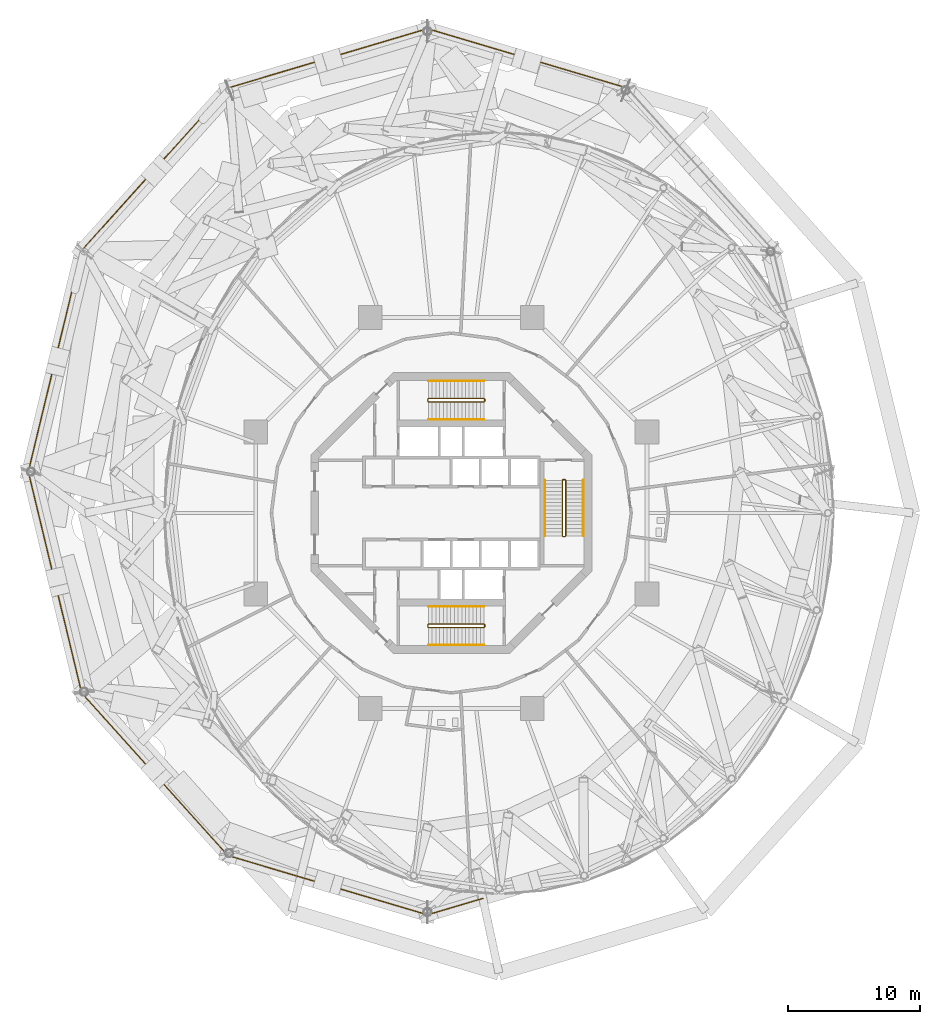
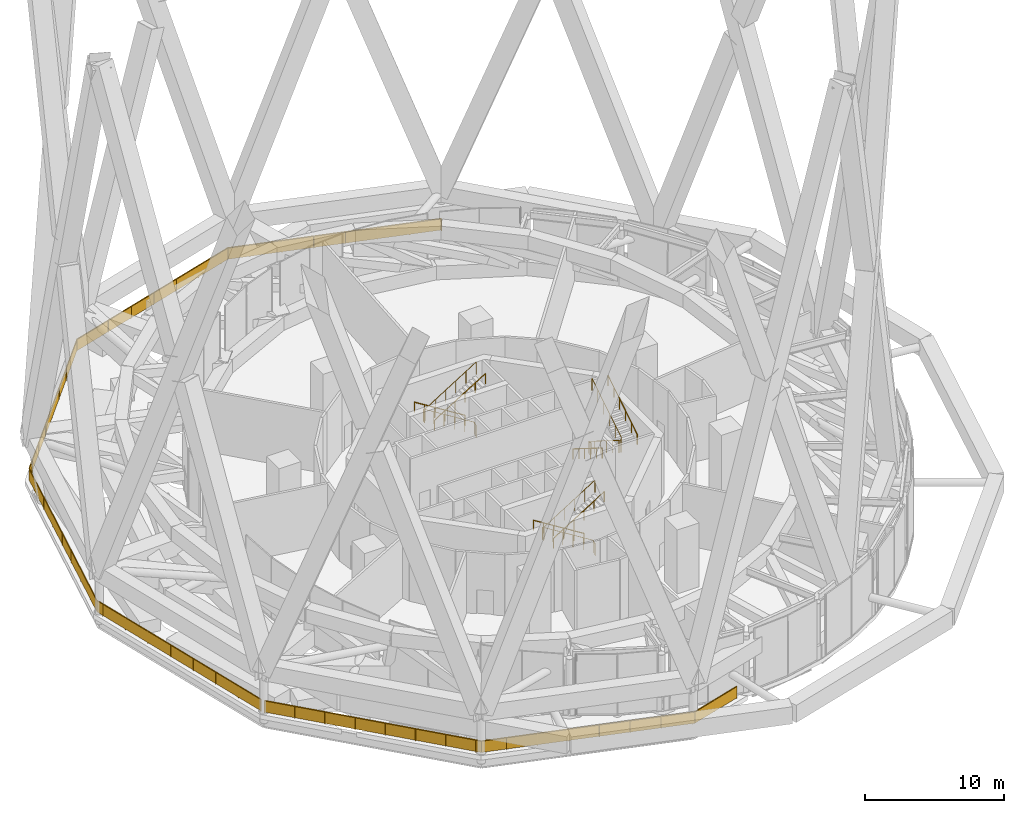
# One storey, part 58 of 60: 11 railings.
"""IFC4 building model written with IfcOpenShell, lengths in metres."""

from ifc_helpers import new_model, si_unit, direction, frame, origin, origin_2d, place, context, subcontext, project, spatial, polyline, rectangle, circle, outline, extrude, material, type_object, element, save


model = new_model("IFC4")

# Units and contexts
model_context = context("Model", 3, precision=1e-05, world=origin(), true_north=direction((0.0, 1.0)))
body_context = subcontext(model_context, "Body", "Model", "MODEL_VIEW")
ifc_project = project(units=[si_unit("LENGTHUNIT", "METRE"), si_unit("AREAUNIT", "SQUARE_METRE"), si_unit("VOLUMEUNIT", "CUBIC_METRE"), si_unit("PLANEANGLEUNIT", "RADIAN"), si_unit("MASSUNIT", "GRAM", prefix="KILO")], contexts=[model_context])

# Site, building, storey
site_placement = place(None, origin())
site = spatial("IfcSite", under=ifc_project, at=site_placement, CompositionType="ELEMENT")
building_placement = place(site_placement, origin())
building = spatial("IfcBuilding", under=site, at=building_placement, Name="Nagisa Residences", CompositionType="ELEMENT")
storey_placement = place(building_placement, frame((0.0, 0.0, 206.60009765625)))
storey = spatial("IfcBuildingStorey", under=building, at=storey_placement, Name="L52", CompositionType="ELEMENT", Elevation=206.60009765625)

# Railings
ifc_material_1 = material(Name="Stainless steel 316", Category="steel")
railing_type_1 = type_object("IfcRailingType", Name="ROOF GUARD 1100", PredefinedType="GUARDRAIL", material=ifc_material_1)
railing_1_placement = place(storey_placement, frame((-27.972412109375, -13.4775390625, 0.0)))
element("IfcRailing", 1, at=railing_1_placement, inside=storey, type_object=railing_type_1, Name="guard:L52:deck00-0", PredefinedType="GUARDRAIL", context=body_context, shape_type="SweptSolid", body=[
    extrude(outline(polyline([(-4.029052734375, 16.59521484375), (-0.0244140625, -0.005859375), (0.0244140625, 0.005859375), (-3.977783203125, 16.59521484375), (0.05810546875, 33.324462890625), (11.09033203125, 45.578857421875), (26.17236328125, 50.06787109375), (41.26123046875, 45.576904296875), (41.275390625, 45.624755859375), (26.17236328125, 50.1201171875), (11.0625, 45.622802734375), (0.01220703125, 33.348388671875), (-4.029052734375, 16.59521484375)])), frame((0.0, 0.0, 1.050048828125)), (0.0, 0.0, 1.0), 0.050048828125),
    extrude(outline(polyline([(-4.010498046875, 16.59521484375), (-0.0068359375, -0.001708984375), (0.0068359375, 0.001708984375), (-3.996337890625, 16.59521484375), (0.04150390625, 33.3330078125), (11.080322265625, 45.5947265625), (26.17236328125, 50.086669921875), (41.266357421875, 45.59423828125), (41.270263671875, 45.607421875), (26.17236328125, 50.101318359375), (11.072509765625, 45.60693359375), (0.02880859375, 33.33984375), (-4.010498046875, 16.59521484375)])), frame((0.0, 0.0, 0.06005859375)), (0.0, 0.0, 1.0), 0.989990234375),
    extrude(rectangle(XDim=0.0400390625, YDim=0.0400390625, at=origin_2d()), origin(), (0.0, 0.0, 1.0), 1.050048828125),
    extrude(rectangle(XDim=0.0400390625, YDim=0.0400390625, at=origin_2d()), frame((-0.551513671875, 2.28564453125, 0.0)), (0.0, 0.0, 1.0), 1.050048828125),
    extrude(rectangle(XDim=0.0400390625, YDim=0.0400390625, at=origin_2d()), frame((-1.102783203125, 4.571533203125, 0.0)), (0.0, 0.0, 1.0), 1.050048828125),
    extrude(rectangle(XDim=0.0400390625, YDim=0.0400390625, at=origin_2d()), frame((-1.654296875, 6.857177734375, 0.0)), (0.0, 0.0, 1.0), 1.050048828125),
    extrude(rectangle(XDim=0.0400390625, YDim=0.0400390625, at=origin_2d()), frame((-2.20556640625, 9.14306640625, 0.0)), (0.0, 0.0, 1.0), 1.050048828125),
    extrude(rectangle(XDim=0.0400390625, YDim=0.0400390625, at=origin_2d()), frame((-2.757080078125, 11.4287109375, 0.0)), (0.0, 0.0, 1.0), 1.050048828125),
    extrude(rectangle(XDim=0.0400390625, YDim=0.0400390625, at=origin_2d()), frame((-3.308349609375, 13.71435546875, 0.0)), (0.0, 0.0, 1.0), 1.050048828125),
    extrude(rectangle(XDim=0.0400390625, YDim=0.0400390625, at=origin_2d()), frame((-3.85986328125, 16.000244140625, 0.0)), (0.0, 0.0, 1.0), 1.050048828125),
    extrude(rectangle(XDim=0.0400390625, YDim=0.0400390625, at=origin_2d()), frame((-3.595458984375, 18.285888671875, 0.0)), (0.0, 0.0, 1.0), 1.050048828125),
    extrude(rectangle(XDim=0.0400390625, YDim=0.0400390625, at=origin_2d()), frame((-3.044189453125, 20.57177734375, 0.0)), (0.0, 0.0, 1.0), 1.050048828125),
    extrude(rectangle(XDim=0.0400390625, YDim=0.0400390625, at=origin_2d()), frame((-2.49267578125, 22.857421875, 0.0)), (0.0, 0.0, 1.0), 1.050048828125),
    extrude(rectangle(XDim=0.0400390625, YDim=0.0400390625, at=origin_2d()), frame((-1.94140625, 25.14306640625, 0.0)), (0.0, 0.0, 1.0), 1.050048828125),
    extrude(rectangle(XDim=0.0400390625, YDim=0.0400390625, at=origin_2d()), frame((-1.389892578125, 27.428955078125, 0.0)), (0.0, 0.0, 1.0), 1.050048828125),
    extrude(rectangle(XDim=0.0400390625, YDim=0.0400390625, at=origin_2d()), frame((-0.838623046875, 29.714599609375, 0.0)), (0.0, 0.0, 1.0), 1.050048828125),
    extrude(rectangle(XDim=0.0400390625, YDim=0.0400390625, at=origin_2d()), frame((-0.287109375, 32.00048828125, 0.0)), (0.0, 0.0, 1.0), 1.050048828125),
    extrude(rectangle(XDim=0.0400390625, YDim=0.0400390625, at=origin_2d()), frame((0.688720703125, 34.0625, 0.0)), (0.0, 0.0, 1.0), 1.050048828125),
    extrude(rectangle(XDim=0.0400390625, YDim=0.0400390625, at=origin_2d()), frame((2.261962890625, 35.81005859375, 0.0)), (0.0, 0.0, 1.0), 1.050048828125),
    extrude(rectangle(XDim=0.0400390625, YDim=0.0400390625, at=origin_2d()), frame((3.835205078125, 37.557373046875, 0.0)), (0.0, 0.0, 1.0), 1.050048828125),
    extrude(rectangle(XDim=0.0400390625, YDim=0.0400390625, at=origin_2d()), frame((5.408447265625, 39.304931640625, 0.0)), (0.0, 0.0, 1.0), 1.050048828125),
    extrude(rectangle(XDim=0.0400390625, YDim=0.0400390625, at=origin_2d()), frame((6.981689453125, 41.052490234375, 0.0)), (0.0, 0.0, 1.0), 1.050048828125),
    extrude(rectangle(XDim=0.0400390625, YDim=0.0400390625, at=origin_2d()), frame((8.554931640625, 42.7998046875, 0.0)), (0.0, 0.0, 1.0), 1.050048828125),
    extrude(rectangle(XDim=0.0400390625, YDim=0.0400390625, at=origin_2d()), frame((10.1279296875, 44.54736328125, 0.0)), (0.0, 0.0, 1.0), 1.050048828125),
    extrude(rectangle(XDim=0.0400390625, YDim=0.0400390625, at=origin_2d()), frame((11.971435546875, 45.8671875, 0.0)), (0.0, 0.0, 1.0), 1.050048828125),
    extrude(rectangle(XDim=0.0400390625, YDim=0.0400390625, at=origin_2d()), frame((14.22509765625, 46.5380859375, 0.0)), (0.0, 0.0, 1.0), 1.050048828125),
    extrude(rectangle(XDim=0.0400390625, YDim=0.0400390625, at=origin_2d()), frame((16.478759765625, 47.208740234375, 0.0)), (0.0, 0.0, 1.0), 1.050048828125),
    extrude(rectangle(XDim=0.0400390625, YDim=0.0400390625, at=origin_2d()), frame((18.732177734375, 47.879638671875, 0.0)), (0.0, 0.0, 1.0), 1.050048828125),
    extrude(rectangle(XDim=0.0400390625, YDim=0.0400390625, at=origin_2d()), frame((20.98583984375, 48.55029296875, 0.0)), (0.0, 0.0, 1.0), 1.050048828125),
    extrude(rectangle(XDim=0.0400390625, YDim=0.0400390625, at=origin_2d()), frame((23.239501953125, 49.220947265625, 0.0)), (0.0, 0.0, 1.0), 1.050048828125),
    extrude(rectangle(XDim=0.0400390625, YDim=0.0400390625, at=origin_2d()), frame((25.4931640625, 49.891845703125, 0.0)), (0.0, 0.0, 1.0), 1.050048828125),
    extrude(rectangle(XDim=0.0400390625, YDim=0.0400390625, at=origin_2d()), frame((27.74658203125, 49.62548828125, 0.0)), (0.0, 0.0, 1.0), 1.050048828125),
    extrude(rectangle(XDim=0.0400390625, YDim=0.0400390625, at=origin_2d()), frame((30.000244140625, 48.95458984375, 0.0)), (0.0, 0.0, 1.0), 1.050048828125),
    extrude(rectangle(XDim=0.0400390625, YDim=0.0400390625, at=origin_2d()), frame((32.25390625, 48.283935546875, 0.0)), (0.0, 0.0, 1.0), 1.050048828125),
    extrude(rectangle(XDim=0.0400390625, YDim=0.0400390625, at=origin_2d()), frame((34.507568359375, 47.613037109375, 0.0)), (0.0, 0.0, 1.0), 1.050048828125),
    extrude(rectangle(XDim=0.0400390625, YDim=0.0400390625, at=origin_2d()), frame((36.760986328125, 46.9423828125, 0.0)), (0.0, 0.0, 1.0), 1.050048828125),
    extrude(rectangle(XDim=0.0400390625, YDim=0.0400390625, at=origin_2d()), frame((39.0146484375, 46.271484375, 0.0)), (0.0, 0.0, 1.0), 1.050048828125),
    extrude(rectangle(XDim=0.0400390625, YDim=0.0400390625, at=origin_2d()), frame((41.268310546875, 45.600830078125, 0.0)), (0.0, 0.0, 1.0), 1.050048828125),
])
railing_2_placement = place(storey_placement, frame((2.3759765625, -29.137939453125, 0.0)))
element("IfcRailing", 2, at=railing_2_placement, inside=storey, type_object=railing_type_1, Name="guard:L52:deck01-0", PredefinedType="GUARDRAIL", context=body_context, shape_type="SweptSolid", body=[
    extrude(outline(polyline([(-4.176025390625, -1.26904296875), (0.007080078125, -0.02392578125), (-0.007080078125, 0.02392578125), (-4.176025390625, -1.216796875), (-19.258056640625, 3.27197265625), (-30.1943359375, 15.419921875), (-30.2314453125, 15.38623046875), (-19.285888671875, 3.22802734375), (-4.176025390625, -1.26904296875)])), frame((0.0, 0.0, 1.050048828125)), (0.0, 0.0, 1.0), 0.050048828125),
    extrude(outline(polyline([(-4.176025390625, -1.250244140625), (0.001953125, -0.006591796875), (-0.001953125, 0.006591796875), (-4.176025390625, -1.235595703125), (-19.26806640625, 3.256103515625), (-30.207763671875, 15.40771484375), (-30.218017578125, 15.3984375), (-19.27587890625, 3.243896484375), (-4.176025390625, -1.250244140625)])), frame((0.0, 0.0, 0.06005859375)), (0.0, 0.0, 1.0), 0.989990234375),
    extrude(rectangle(XDim=0.0400390625, YDim=0.0400390625, at=origin_2d()), origin(), (0.0, 0.0, 1.0), 1.050048828125),
    extrude(rectangle(XDim=0.0400390625, YDim=0.0400390625, at=origin_2d()), frame((-2.18408203125, -0.650146484375, 0.0)), (0.0, 0.0, 1.0), 1.050048828125),
    extrude(rectangle(XDim=0.0400390625, YDim=0.0400390625, at=origin_2d()), frame((-4.3681640625, -1.185791015625, 0.0)), (0.0, 0.0, 1.0), 1.050048828125),
    extrude(rectangle(XDim=0.0400390625, YDim=0.0400390625, at=origin_2d()), frame((-6.55224609375, -0.53564453125, 0.0)), (0.0, 0.0, 1.0), 1.050048828125),
    extrude(rectangle(XDim=0.0400390625, YDim=0.0400390625, at=origin_2d()), frame((-8.736328125, 0.1142578125, 0.0)), (0.0, 0.0, 1.0), 1.050048828125),
    extrude(rectangle(XDim=0.0400390625, YDim=0.0400390625, at=origin_2d()), frame((-10.920166015625, 0.764404296875, 0.0)), (0.0, 0.0, 1.0), 1.050048828125),
    extrude(rectangle(XDim=0.0400390625, YDim=0.0400390625, at=origin_2d()), frame((-13.104248046875, 1.414306640625, 0.0)), (0.0, 0.0, 1.0), 1.050048828125),
    extrude(rectangle(XDim=0.0400390625, YDim=0.0400390625, at=origin_2d()), frame((-15.288330078125, 2.064453125, 0.0)), (0.0, 0.0, 1.0), 1.050048828125),
    extrude(rectangle(XDim=0.0400390625, YDim=0.0400390625, at=origin_2d()), frame((-17.472412109375, 2.71435546875, 0.0)), (0.0, 0.0, 1.0), 1.050048828125),
    extrude(rectangle(XDim=0.0400390625, YDim=0.0400390625, at=origin_2d()), frame((-19.54052734375, 3.548095703125, 0.0)), (0.0, 0.0, 1.0), 1.050048828125),
    extrude(rectangle(XDim=0.0400390625, YDim=0.0400390625, at=origin_2d()), frame((-21.06494140625, 5.24169921875, 0.0)), (0.0, 0.0, 1.0), 1.050048828125),
    extrude(rectangle(XDim=0.0400390625, YDim=0.0400390625, at=origin_2d()), frame((-22.589599609375, 6.935302734375, 0.0)), (0.0, 0.0, 1.0), 1.050048828125),
    extrude(rectangle(XDim=0.0400390625, YDim=0.0400390625, at=origin_2d()), frame((-24.1142578125, 8.62890625, 0.0)), (0.0, 0.0, 1.0), 1.050048828125),
    extrude(rectangle(XDim=0.0400390625, YDim=0.0400390625, at=origin_2d()), frame((-25.638916015625, 10.322509765625, 0.0)), (0.0, 0.0, 1.0), 1.050048828125),
    extrude(rectangle(XDim=0.0400390625, YDim=0.0400390625, at=origin_2d()), frame((-27.16357421875, 12.015869140625, 0.0)), (0.0, 0.0, 1.0), 1.050048828125),
    extrude(rectangle(XDim=0.0400390625, YDim=0.0400390625, at=origin_2d()), frame((-28.688232421875, 13.70947265625, 0.0)), (0.0, 0.0, 1.0), 1.050048828125),
    extrude(rectangle(XDim=0.0400390625, YDim=0.0400390625, at=origin_2d()), frame((-30.212890625, 15.403076171875, 0.0)), (0.0, 0.0, 1.0), 1.050048828125),
])
ifc_material_2 = material(Name="Stainless steel", Category="steel")
railing_type_2 = type_object("IfcRailingType", Name="Stair guard 1100", PredefinedType="GUARDRAIL", material=ifc_material_2)
railing_3_placement = place(storey_placement, frame((8.599609375, 2.52490234375, 0.0)))
element("IfcRailing", 3, at=railing_3_placement, inside=storey, type_object=railing_type_2, Name="L52 ST-E stair guard 1", PredefinedType="GUARDRAIL", context=body_context, shape_type="SweptSolid", body=[
    extrude(circle(Radius=0.02392578125, at=origin_2d()), frame((0.0, 0.0, 1.076171875), z_axis=(-1.0, 0.0, 0.0), x_axis=(0.0, -1.0, 0.0)), (0.0, 0.0, 1.0), 0.14990234375),
    extrude(circle(Radius=0.02392578125, at=origin_2d()), frame((-0.14990234375, 0.0, 1.076171875), z_axis=(-0.265474339444, -0.264179342666, 0.927217692888), x_axis=(0.705375805398, -0.708833529934, 0.0)), (0.0, 0.0, 1.0), 0.1884765625),
    extrude(circle(Radius=0.02392578125, at=origin_2d()), frame((-0.199951171875, -0.0498046875, 1.2509765625), z_axis=(0.0, -0.848009380541, 0.529981217134), x_axis=(1.0, 0.0, 0.0)), (0.0, 0.0, 1.0), 4.953125),
    extrude(circle(Radius=0.02392578125, at=origin_2d()), frame((-0.199951171875, -4.25, 3.8759765625), z_axis=(0.708833529934, -0.705375805398, 0.0), x_axis=(0.705375805398, 0.708833529934, 0.0)), (0.0, 0.0, 1.0), 0.070556640625),
    extrude(circle(Radius=0.02392578125, at=origin_2d()), frame((-0.14990234375, -4.2998046875, 3.8759765625), z_axis=(1.0, 0.0, 0.0), x_axis=(0.0, 1.0, 0.0)), (0.0, 0.0, 1.0), 0.14990234375),
    extrude(circle(Radius=0.02392578125, at=origin_2d()), frame((0.0, -4.2998046875, 3.8759765625), z_axis=(0.265155923931, 0.263862480399, 0.927399011991), x_axis=(-0.705375805398, 0.708833529934, 0.0)), (0.0, 0.0, 1.0), 0.188720703125),
    extrude(circle(Radius=0.02392578125, at=origin_2d()), frame((0.050048828125, -4.25, 4.05078125), z_axis=(0.0, 0.848009380541, 0.529981217134), x_axis=(-1.0, 0.0, 0.0)), (0.0, 0.0, 1.0), 4.953125),
    extrude(circle(Radius=0.02099609375, at=origin_2d()), origin(), (0.0, 0.0, 1.0), 1.052001953125),
    extrude(circle(Radius=0.02099609375, at=origin_2d()), frame((-0.14990234375, 0.0, 0.0)), (0.0, 0.0, 1.0), 1.052001953125),
    extrude(circle(Radius=0.02099609375, at=origin_2d()), frame((-0.199951171875, -0.0498046875, 0.1748046875)), (0.0, 0.0, 1.0), 1.052001953125),
    extrude(circle(Radius=0.02099609375, at=origin_2d()), frame((-0.199951171875, -0.889892578125, 0.69970703125)), (0.0, 0.0, 1.0), 1.052001953125),
    extrude(circle(Radius=0.02099609375, at=origin_2d()), frame((-0.199951171875, -1.72998046875, 1.224853515625)), (0.0, 0.0, 1.0), 1.052001953125),
    extrude(circle(Radius=0.02099609375, at=origin_2d()), frame((-0.199951171875, -2.56982421875, 1.749755859375)), (0.0, 0.0, 1.0), 1.052001953125),
    extrude(circle(Radius=0.02099609375, at=origin_2d()), frame((-0.199951171875, -3.409912109375, 2.27490234375)), (0.0, 0.0, 1.0), 1.052001953125),
    extrude(circle(Radius=0.02099609375, at=origin_2d()), frame((-0.199951171875, -4.25, 2.7998046875)), (0.0, 0.0, 1.0), 1.052001953125),
    extrude(circle(Radius=0.02099609375, at=origin_2d()), frame((-0.14990234375, -4.2998046875, 2.7998046875)), (0.0, 0.0, 1.0), 1.052001953125),
    extrude(circle(Radius=0.02099609375, at=origin_2d()), frame((0.0, -4.2998046875, 2.7998046875)), (0.0, 0.0, 1.0), 1.052001953125),
    extrude(circle(Radius=0.02099609375, at=origin_2d()), frame((0.050048828125, -4.25, 2.974853515625)), (0.0, 0.0, 1.0), 1.052001953125),
    extrude(circle(Radius=0.02099609375, at=origin_2d()), frame((0.050048828125, -3.409912109375, 3.499755859375)), (0.0, 0.0, 1.0), 1.052001953125),
    extrude(circle(Radius=0.02099609375, at=origin_2d()), frame((0.050048828125, -2.56982421875, 4.02490234375)), (0.0, 0.0, 1.0), 1.052001953125),
    extrude(circle(Radius=0.02099609375, at=origin_2d()), frame((0.050048828125, -1.72998046875, 4.5498046875)), (0.0, 0.0, 1.0), 1.052001953125),
    extrude(circle(Radius=0.02099609375, at=origin_2d()), frame((0.050048828125, -0.889892578125, 5.074951171875)), (0.0, 0.0, 1.0), 1.052001953125),
    extrude(circle(Radius=0.02099609375, at=origin_2d()), frame((0.050048828125, -0.0498046875, 5.599853515625)), (0.0, 0.0, 1.0), 1.052001953125),
])
railing_4_placement = place(storey_placement, frame((2.52490234375, 8.44970703125, 0.0)))
element("IfcRailing", 4, at=railing_4_placement, inside=storey, type_object=railing_type_2, Name="L52 ST-N stair guard 1", PredefinedType="GUARDRAIL", context=body_context, shape_type="SweptSolid", body=[
    extrude(circle(Radius=0.02392578125, at=origin_2d()), frame((0.0, 0.0, 1.076171875), z_axis=(0.0, 1.0, 0.0), x_axis=(-1.0, 0.0, 0.0)), (0.0, 0.0, 1.0), 0.14990234375),
    extrude(circle(Radius=0.02392578125, at=origin_2d()), frame((0.0, 0.14990234375, 1.076171875), z_axis=(-0.264179342666, 0.265474339444, 0.927217692888), x_axis=(-0.708833529934, -0.705375805398, 0.0)), (0.0, 0.0, 1.0), 0.1884765625),
    extrude(circle(Radius=0.02392578125, at=origin_2d()), frame((-0.0498046875, 0.199951171875, 1.2509765625), z_axis=(-0.848009380541, 0.0, 0.529981217134), x_axis=(0.0, -1.0, 0.0)), (0.0, 0.0, 1.0), 4.953125),
    extrude(circle(Radius=0.02392578125, at=origin_2d()), frame((-4.25, 0.199951171875, 3.8759765625), z_axis=(-0.705375805398, -0.708833529934, 0.0), x_axis=(0.708833529934, -0.705375805398, 0.0)), (0.0, 0.0, 1.0), 0.070556640625),
    extrude(circle(Radius=0.02392578125, at=origin_2d()), frame((-4.2998046875, 0.14990234375, 3.8759765625), z_axis=(0.0, -1.0, 0.0), x_axis=(1.0, 0.0, 0.0)), (0.0, 0.0, 1.0), 0.14990234375),
    extrude(circle(Radius=0.02392578125, at=origin_2d()), frame((-4.2998046875, 0.0, 3.8759765625), z_axis=(0.263862480399, -0.265155923931, 0.927399011991), x_axis=(0.708833529934, 0.705375805398, 0.0)), (0.0, 0.0, 1.0), 0.188720703125),
    extrude(circle(Radius=0.02392578125, at=origin_2d()), frame((-4.25, -0.050048828125, 4.05078125), z_axis=(0.848009380541, 0.0, 0.529981217134), x_axis=(0.0, 1.0, 0.0)), (0.0, 0.0, 1.0), 4.953125),
    extrude(circle(Radius=0.02099609375, at=origin_2d()), origin(), (0.0, 0.0, 1.0), 1.052001953125),
    extrude(circle(Radius=0.02099609375, at=origin_2d()), frame((0.0, 0.14990234375, 0.0)), (0.0, 0.0, 1.0), 1.052001953125),
    extrude(circle(Radius=0.02099609375, at=origin_2d()), frame((-0.0498046875, 0.199951171875, 0.1748046875)), (0.0, 0.0, 1.0), 1.052001953125),
    extrude(circle(Radius=0.02099609375, at=origin_2d()), frame((-0.889892578125, 0.199951171875, 0.69970703125)), (0.0, 0.0, 1.0), 1.052001953125),
    extrude(circle(Radius=0.02099609375, at=origin_2d()), frame((-1.72998046875, 0.199951171875, 1.224853515625)), (0.0, 0.0, 1.0), 1.052001953125),
    extrude(circle(Radius=0.02099609375, at=origin_2d()), frame((-2.56982421875, 0.199951171875, 1.749755859375)), (0.0, 0.0, 1.0), 1.052001953125),
    extrude(circle(Radius=0.02099609375, at=origin_2d()), frame((-3.409912109375, 0.199951171875, 2.27490234375)), (0.0, 0.0, 1.0), 1.052001953125),
    extrude(circle(Radius=0.02099609375, at=origin_2d()), frame((-4.25, 0.199951171875, 2.7998046875)), (0.0, 0.0, 1.0), 1.052001953125),
    extrude(circle(Radius=0.02099609375, at=origin_2d()), frame((-4.2998046875, 0.14990234375, 2.7998046875)), (0.0, 0.0, 1.0), 1.052001953125),
    extrude(circle(Radius=0.02099609375, at=origin_2d()), frame((-4.2998046875, 0.0, 2.7998046875)), (0.0, 0.0, 1.0), 1.052001953125),
    extrude(circle(Radius=0.02099609375, at=origin_2d()), frame((-4.25, -0.050048828125, 2.974853515625)), (0.0, 0.0, 1.0), 1.052001953125),
    extrude(circle(Radius=0.02099609375, at=origin_2d()), frame((-3.409912109375, -0.050048828125, 3.499755859375)), (0.0, 0.0, 1.0), 1.052001953125),
    extrude(circle(Radius=0.02099609375, at=origin_2d()), frame((-2.56982421875, -0.050048828125, 4.02490234375)), (0.0, 0.0, 1.0), 1.052001953125),
    extrude(circle(Radius=0.02099609375, at=origin_2d()), frame((-1.72998046875, -0.050048828125, 4.5498046875)), (0.0, 0.0, 1.0), 1.052001953125),
    extrude(circle(Radius=0.02099609375, at=origin_2d()), frame((-0.889892578125, -0.050048828125, 5.074951171875)), (0.0, 0.0, 1.0), 1.052001953125),
    extrude(circle(Radius=0.02099609375, at=origin_2d()), frame((-0.0498046875, -0.050048828125, 5.599853515625)), (0.0, 0.0, 1.0), 1.052001953125),
])
railing_5_placement = place(storey_placement, frame((2.52490234375, -8.599609375, 0.0)))
element("IfcRailing", 5, at=railing_5_placement, inside=storey, type_object=railing_type_2, Name="L52 ST-S stair guard 1", PredefinedType="GUARDRAIL", context=body_context, shape_type="SweptSolid", body=[
    extrude(circle(Radius=0.02392578125, at=origin_2d()), frame((0.0, 0.0, 1.076171875), z_axis=(0.0, 1.0, 0.0), x_axis=(-1.0, 0.0, 0.0)), (0.0, 0.0, 1.0), 0.14990234375),
    extrude(circle(Radius=0.02392578125, at=origin_2d()), frame((0.0, 0.14990234375, 1.076171875), z_axis=(-0.264179342666, 0.265474339444, 0.927217692888), x_axis=(-0.708833529934, -0.705375805398, 0.0)), (0.0, 0.0, 1.0), 0.1884765625),
    extrude(circle(Radius=0.02392578125, at=origin_2d()), frame((-0.0498046875, 0.199951171875, 1.2509765625), z_axis=(-0.848009380541, 0.0, 0.529981217134), x_axis=(0.0, -1.0, 0.0)), (0.0, 0.0, 1.0), 4.953125),
    extrude(circle(Radius=0.02392578125, at=origin_2d()), frame((-4.25, 0.199951171875, 3.8759765625), z_axis=(-0.705375805398, -0.708833529934, 0.0), x_axis=(0.708833529934, -0.705375805398, 0.0)), (0.0, 0.0, 1.0), 0.070556640625),
    extrude(circle(Radius=0.02392578125, at=origin_2d()), frame((-4.2998046875, 0.14990234375, 3.8759765625), z_axis=(0.0, -1.0, 0.0), x_axis=(1.0, 0.0, 0.0)), (0.0, 0.0, 1.0), 0.14990234375),
    extrude(circle(Radius=0.02392578125, at=origin_2d()), frame((-4.2998046875, 0.0, 3.8759765625), z_axis=(0.263862480399, -0.265155923931, 0.927399011991), x_axis=(0.708833529934, 0.705375805398, 0.0)), (0.0, 0.0, 1.0), 0.188720703125),
    extrude(circle(Radius=0.02392578125, at=origin_2d()), frame((-4.25, -0.050048828125, 4.05078125), z_axis=(0.848009380541, 0.0, 0.529981217134), x_axis=(0.0, 1.0, 0.0)), (0.0, 0.0, 1.0), 4.953125),
    extrude(circle(Radius=0.02099609375, at=origin_2d()), origin(), (0.0, 0.0, 1.0), 1.052001953125),
    extrude(circle(Radius=0.02099609375, at=origin_2d()), frame((0.0, 0.14990234375, 0.0)), (0.0, 0.0, 1.0), 1.052001953125),
    extrude(circle(Radius=0.02099609375, at=origin_2d()), frame((-0.0498046875, 0.199951171875, 0.1748046875)), (0.0, 0.0, 1.0), 1.052001953125),
    extrude(circle(Radius=0.02099609375, at=origin_2d()), frame((-0.889892578125, 0.199951171875, 0.69970703125)), (0.0, 0.0, 1.0), 1.052001953125),
    extrude(circle(Radius=0.02099609375, at=origin_2d()), frame((-1.72998046875, 0.199951171875, 1.224853515625)), (0.0, 0.0, 1.0), 1.052001953125),
    extrude(circle(Radius=0.02099609375, at=origin_2d()), frame((-2.56982421875, 0.199951171875, 1.749755859375)), (0.0, 0.0, 1.0), 1.052001953125),
    extrude(circle(Radius=0.02099609375, at=origin_2d()), frame((-3.409912109375, 0.199951171875, 2.27490234375)), (0.0, 0.0, 1.0), 1.052001953125),
    extrude(circle(Radius=0.02099609375, at=origin_2d()), frame((-4.25, 0.199951171875, 2.7998046875)), (0.0, 0.0, 1.0), 1.052001953125),
    extrude(circle(Radius=0.02099609375, at=origin_2d()), frame((-4.2998046875, 0.14990234375, 2.7998046875)), (0.0, 0.0, 1.0), 1.052001953125),
    extrude(circle(Radius=0.02099609375, at=origin_2d()), frame((-4.2998046875, 0.0, 2.7998046875)), (0.0, 0.0, 1.0), 1.052001953125),
    extrude(circle(Radius=0.02099609375, at=origin_2d()), frame((-4.25, -0.050048828125, 2.974853515625)), (0.0, 0.0, 1.0), 1.052001953125),
    extrude(circle(Radius=0.02099609375, at=origin_2d()), frame((-3.409912109375, -0.050048828125, 3.499755859375)), (0.0, 0.0, 1.0), 1.052001953125),
    extrude(circle(Radius=0.02099609375, at=origin_2d()), frame((-2.56982421875, -0.050048828125, 4.02490234375)), (0.0, 0.0, 1.0), 1.052001953125),
    extrude(circle(Radius=0.02099609375, at=origin_2d()), frame((-1.72998046875, -0.050048828125, 4.5498046875)), (0.0, 0.0, 1.0), 1.052001953125),
    extrude(circle(Radius=0.02099609375, at=origin_2d()), frame((-0.889892578125, -0.050048828125, 5.074951171875)), (0.0, 0.0, 1.0), 1.052001953125),
    extrude(circle(Radius=0.02099609375, at=origin_2d()), frame((-0.0498046875, -0.050048828125, 5.599853515625)), (0.0, 0.0, 1.0), 1.052001953125),
])
ifc_material_3 = material(Name="Stainless steel", Category="steel")
railing_type_3 = type_object("IfcRailingType", Name="Stair handrail 900", PredefinedType="HANDRAIL", material=ifc_material_3)
railing_6_placement = place(storey_placement, frame((7.07470703125, 2.47509765625, 0.1748046875)))
element("IfcRailing", 6, at=railing_6_placement, inside=storey, type_object=railing_type_3, Name="L52 ST-E stair handrail 1", PredefinedType="HANDRAIL", context=body_context, shape_type="SweptSolid", body=[
    extrude(circle(Radius=0.02392578125, at=origin_2d()), frame((0.0, 0.0, 0.8759765625), z_axis=(0.0, -0.848009380541, 0.529981217134), x_axis=(1.0, 0.0, 0.0)), (0.0, 0.0, 1.0), 4.953125),
    extrude(circle(Radius=0.02099609375, at=origin_2d()), origin(), (0.0, 0.0, 1.0), 0.851806640625),
    extrude(circle(Radius=0.02099609375, at=origin_2d()), frame((0.0, -0.840087890625, 0.52490234375)), (0.0, 0.0, 1.0), 0.851806640625),
    extrude(circle(Radius=0.02099609375, at=origin_2d()), frame((0.0, -1.68017578125, 1.050048828125)), (0.0, 0.0, 1.0), 0.851806640625),
    extrude(circle(Radius=0.02099609375, at=origin_2d()), frame((0.0, -2.52001953125, 1.574951171875)), (0.0, 0.0, 1.0), 0.851806640625),
    extrude(circle(Radius=0.02099609375, at=origin_2d()), frame((0.0, -3.360107421875, 2.10009765625)), (0.0, 0.0, 1.0), 0.851806640625),
    extrude(circle(Radius=0.02099609375, at=origin_2d()), frame((0.0, -4.2001953125, 2.625)), (0.0, 0.0, 1.0), 0.851806640625),
])
railing_7_placement = place(storey_placement, frame((9.974609375, -1.72509765625, 2.974853515625)))
element("IfcRailing", 7, at=railing_7_placement, inside=storey, type_object=railing_type_3, Name="L52 ST-E stair handrail 2", PredefinedType="HANDRAIL", context=body_context, shape_type="SweptSolid", body=[
    extrude(circle(Radius=0.02392578125, at=origin_2d()), frame((0.0, 0.0, 0.8759765625), z_axis=(0.0, 0.848009380541, 0.529981217134), x_axis=(-1.0, 0.0, 0.0)), (0.0, 0.0, 1.0), 4.953125),
    extrude(circle(Radius=0.02099609375, at=origin_2d()), origin(), (0.0, 0.0, 1.0), 0.851806640625),
    extrude(circle(Radius=0.02099609375, at=origin_2d()), frame((0.0, 0.840087890625, 0.52490234375)), (0.0, 0.0, 1.0), 0.851806640625),
    extrude(circle(Radius=0.02099609375, at=origin_2d()), frame((0.0, 1.68017578125, 1.050048828125)), (0.0, 0.0, 1.0), 0.851806640625),
    extrude(circle(Radius=0.02099609375, at=origin_2d()), frame((0.0, 2.52001953125, 1.574951171875)), (0.0, 0.0, 1.0), 0.851806640625),
    extrude(circle(Radius=0.02099609375, at=origin_2d()), frame((0.0, 3.360107421875, 2.10009765625)), (0.0, 0.0, 1.0), 0.851806640625),
    extrude(circle(Radius=0.02099609375, at=origin_2d()), frame((0.0, 4.2001953125, 2.625)), (0.0, 0.0, 1.0), 0.851806640625),
])
railing_8_placement = place(storey_placement, frame((2.47509765625, 9.974609375, 0.1748046875)))
element("IfcRailing", 8, at=railing_8_placement, inside=storey, type_object=railing_type_3, Name="L52 ST-N stair handrail 1", PredefinedType="HANDRAIL", context=body_context, shape_type="SweptSolid", body=[
    extrude(circle(Radius=0.02392578125, at=origin_2d()), frame((0.0, 0.0, 0.8759765625), z_axis=(-0.848009380541, 0.0, 0.529981217134), x_axis=(0.0, -1.0, 0.0)), (0.0, 0.0, 1.0), 4.953125),
    extrude(circle(Radius=0.02099609375, at=origin_2d()), origin(), (0.0, 0.0, 1.0), 0.851806640625),
    extrude(circle(Radius=0.02099609375, at=origin_2d()), frame((-0.840087890625, 0.0, 0.52490234375)), (0.0, 0.0, 1.0), 0.851806640625),
    extrude(circle(Radius=0.02099609375, at=origin_2d()), frame((-1.68017578125, 0.0, 1.050048828125)), (0.0, 0.0, 1.0), 0.851806640625),
    extrude(circle(Radius=0.02099609375, at=origin_2d()), frame((-2.52001953125, 0.0, 1.574951171875)), (0.0, 0.0, 1.0), 0.851806640625),
    extrude(circle(Radius=0.02099609375, at=origin_2d()), frame((-3.360107421875, 0.0, 2.10009765625)), (0.0, 0.0, 1.0), 0.851806640625),
    extrude(circle(Radius=0.02099609375, at=origin_2d()), frame((-4.2001953125, 0.0, 2.625)), (0.0, 0.0, 1.0), 0.851806640625),
])
railing_9_placement = place(storey_placement, frame((-1.72509765625, 7.07470703125, 2.974853515625)))
element("IfcRailing", 9, at=railing_9_placement, inside=storey, type_object=railing_type_3, Name="L52 ST-N stair handrail 2", PredefinedType="HANDRAIL", context=body_context, shape_type="SweptSolid", body=[
    extrude(circle(Radius=0.02392578125, at=origin_2d()), frame((0.0, 0.0, 0.8759765625), z_axis=(0.848009380541, 0.0, 0.529981217134), x_axis=(0.0, 1.0, 0.0)), (0.0, 0.0, 1.0), 4.953125),
    extrude(circle(Radius=0.02099609375, at=origin_2d()), origin(), (0.0, 0.0, 1.0), 0.851806640625),
    extrude(circle(Radius=0.02099609375, at=origin_2d()), frame((0.840087890625, 0.0, 0.52490234375)), (0.0, 0.0, 1.0), 0.851806640625),
    extrude(circle(Radius=0.02099609375, at=origin_2d()), frame((1.68017578125, 0.0, 1.050048828125)), (0.0, 0.0, 1.0), 0.851806640625),
    extrude(circle(Radius=0.02099609375, at=origin_2d()), frame((2.52001953125, 0.0, 1.574951171875)), (0.0, 0.0, 1.0), 0.851806640625),
    extrude(circle(Radius=0.02099609375, at=origin_2d()), frame((3.360107421875, 0.0, 2.10009765625)), (0.0, 0.0, 1.0), 0.851806640625),
    extrude(circle(Radius=0.02099609375, at=origin_2d()), frame((4.2001953125, 0.0, 2.625)), (0.0, 0.0, 1.0), 0.851806640625),
])
railing_10_placement = place(storey_placement, frame((2.47509765625, -7.07470703125, 0.1748046875)))
element("IfcRailing", 10, at=railing_10_placement, inside=storey, type_object=railing_type_3, Name="L52 ST-S stair handrail 1", PredefinedType="HANDRAIL", context=body_context, shape_type="SweptSolid", body=[
    extrude(circle(Radius=0.02392578125, at=origin_2d()), frame((0.0, 0.0, 0.8759765625), z_axis=(-0.848009380541, 0.0, 0.529981217134), x_axis=(0.0, -1.0, 0.0)), (0.0, 0.0, 1.0), 4.953125),
    extrude(circle(Radius=0.02099609375, at=origin_2d()), origin(), (0.0, 0.0, 1.0), 0.851806640625),
    extrude(circle(Radius=0.02099609375, at=origin_2d()), frame((-0.840087890625, 0.0, 0.52490234375)), (0.0, 0.0, 1.0), 0.851806640625),
    extrude(circle(Radius=0.02099609375, at=origin_2d()), frame((-1.68017578125, 0.0, 1.050048828125)), (0.0, 0.0, 1.0), 0.851806640625),
    extrude(circle(Radius=0.02099609375, at=origin_2d()), frame((-2.52001953125, 0.0, 1.574951171875)), (0.0, 0.0, 1.0), 0.851806640625),
    extrude(circle(Radius=0.02099609375, at=origin_2d()), frame((-3.360107421875, 0.0, 2.10009765625)), (0.0, 0.0, 1.0), 0.851806640625),
    extrude(circle(Radius=0.02099609375, at=origin_2d()), frame((-4.2001953125, 0.0, 2.625)), (0.0, 0.0, 1.0), 0.851806640625),
])
railing_11_placement = place(storey_placement, frame((-1.72509765625, -9.974609375, 2.974853515625)))
element("IfcRailing", 11, at=railing_11_placement, inside=storey, type_object=railing_type_3, Name="L52 ST-S stair handrail 2", PredefinedType="HANDRAIL", context=body_context, shape_type="SweptSolid", body=[
    extrude(circle(Radius=0.02392578125, at=origin_2d()), frame((0.0, 0.0, 0.8759765625), z_axis=(0.848009380541, 0.0, 0.529981217134), x_axis=(0.0, 1.0, 0.0)), (0.0, 0.0, 1.0), 4.953125),
    extrude(circle(Radius=0.02099609375, at=origin_2d()), origin(), (0.0, 0.0, 1.0), 0.851806640625),
    extrude(circle(Radius=0.02099609375, at=origin_2d()), frame((0.840087890625, 0.0, 0.52490234375)), (0.0, 0.0, 1.0), 0.851806640625),
    extrude(circle(Radius=0.02099609375, at=origin_2d()), frame((1.68017578125, 0.0, 1.050048828125)), (0.0, 0.0, 1.0), 0.851806640625),
    extrude(circle(Radius=0.02099609375, at=origin_2d()), frame((2.52001953125, 0.0, 1.574951171875)), (0.0, 0.0, 1.0), 0.851806640625),
    extrude(circle(Radius=0.02099609375, at=origin_2d()), frame((3.360107421875, 0.0, 2.10009765625)), (0.0, 0.0, 1.0), 0.851806640625),
    extrude(circle(Radius=0.02099609375, at=origin_2d()), frame((4.2001953125, 0.0, 2.625)), (0.0, 0.0, 1.0), 0.851806640625),
])

save(model, "model.ifc")
